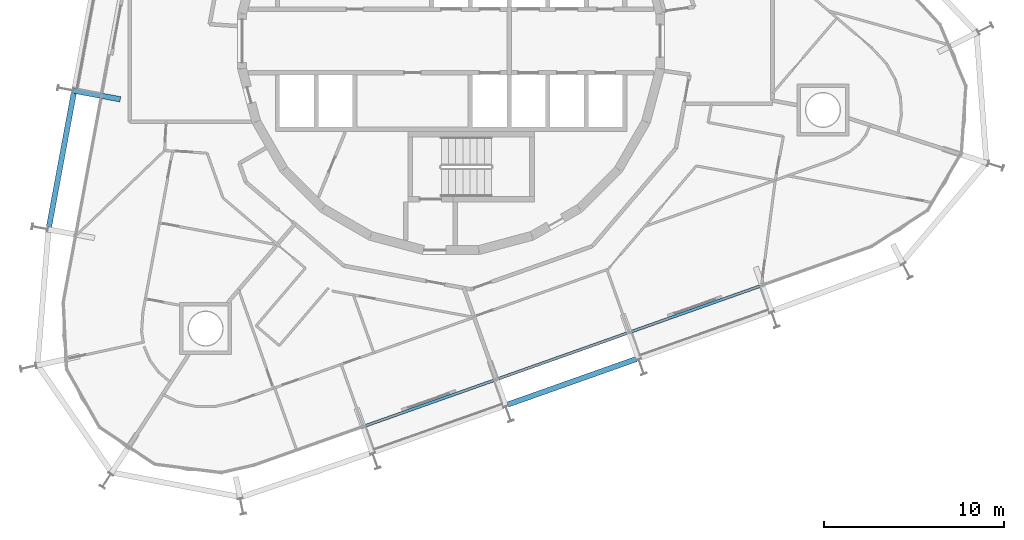
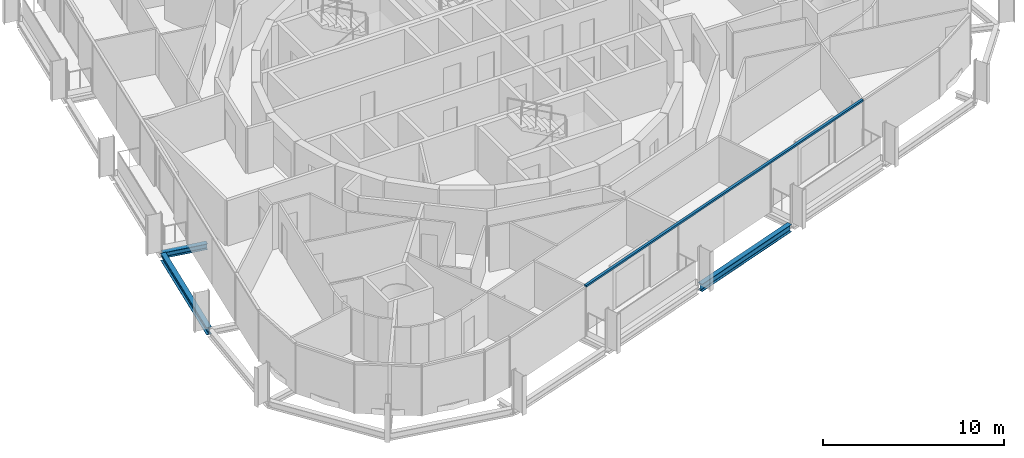
# One storey, part 3 of 17: 3 beams, 1 member, 1 element without a shape of its own.
"""IFC4 building model written with IfcOpenShell, lengths in metres."""

import ifcopenshell
import ifcopenshell.guid

model = None  # the IFC model being written
_history = None  # IfcOwnerHistory: only IFC2X3 demands one
_inside = {}  # id of a spatial element -> (the spatial element, [elements in it])
_under = {}  # id of a project, library or spatial element -> (it, [spatial elements below it])
_declared = {}  # id of a project -> (the project, [libraries it declares])
_typed = {}  # id of a type object -> (the type object, [elements of that type])
_made_of = {}  # id of a material, layer set ... -> (it, [elements and type objects made of it])


def new_model(schema):
    """Start an empty IFC model of exactly this schema.

    Asked for "IFC4X3", IfcOpenShell would pick the latest addendum, in which some entities
    have other attributes; the version numbers below select the first issue.
    IFC2X3 requires an IfcOwnerHistory on every rooted entity: one is made here for all.
    """
    global model, _history
    if schema == "IFC4X3":
        model = ifcopenshell.file(schema_version=(4, 3, 0, 0))
    else:
        model = ifcopenshell.file(schema=schema)
    _inside.clear()
    _under.clear()
    _declared.clear()
    _typed.clear()
    _made_of.clear()
    _history = None
    if model.schema == "IFC2X3":
        org = make("IfcOrganization", Name="unknown")
        user = make(
            "IfcPersonAndOrganization",
            ThePerson=make("IfcPerson", FamilyName="unknown"),
            TheOrganization=org,
        )
        app = make(
            "IfcApplication",
            ApplicationDeveloper=org,
            Version="unknown",
            ApplicationFullName="unknown",
            ApplicationIdentifier="unknown",
        )
        _history = make(
            "IfcOwnerHistory",
            OwningUser=user,
            OwningApplication=app,
            ChangeAction="ADDED",
            CreationDate=0,
        )
    return model


def make(cls, **values):
    """One entity of the class cls with the attributes given. An attribute that is None is left unset."""
    return model.create_entity(
        cls, **{name: value for name, value in values.items() if value is not None}
    )


def rooted(cls, **values):
    """An entity with a GlobalId (a new one), such as an element, a storey or a relation."""
    return make(cls, GlobalId=ifcopenshell.guid.new(), OwnerHistory=_history, **values)


def si_unit(unit_type, name, prefix=None):
    """IfcSIUnit, for example si_unit("LENGTHUNIT", "METRE", prefix="MILLI")."""
    return make("IfcSIUnit", UnitType=unit_type, Prefix=prefix, Name=name)


def assignment(units):
    """IfcUnitAssignment: the units of a project."""
    return None if units is None else make("IfcUnitAssignment", Units=units)


def point(xyz):
    """IfcCartesianPoint."""
    return None if xyz is None else make("IfcCartesianPoint", Coordinates=xyz)


def direction(xyz):
    """IfcDirection."""
    return None if xyz is None else make("IfcDirection", DirectionRatios=xyz)


def frame(location, z_axis=None, x_axis=None):
    """IfcAxis2Placement3D, a coordinate frame: its origin and axes. An axis left out is left unset."""
    return make(
        "IfcAxis2Placement3D",
        Location=point(location),
        Axis=direction(z_axis),
        RefDirection=direction(x_axis),
    )


def frame_2d(location, x_axis=None):
    """IfcAxis2Placement2D, a coordinate frame in the plane: its origin and x axis."""
    return make(
        "IfcAxis2Placement2D", Location=point(location), RefDirection=direction(x_axis)
    )


def origin():
    """The frame at (0, 0, 0) with its axes left unset."""
    return frame((0.0, 0.0, 0.0))


def origin_2d():
    """The frame at (0, 0) in the plane with its x axis left unset."""
    return frame_2d((0.0, 0.0))


def place(relative_to, where):
    """IfcLocalPlacement: puts the frame where relative to a parent placement (None: the world)."""
    return make(
        "IfcLocalPlacement", PlacementRelTo=relative_to, RelativePlacement=where
    )


def context(
    kind, dimensions, precision=None, world=None, true_north=None, identifier=None
):
    """IfcGeometricRepresentationContext, for example the 3D "Model" context."""
    return make(
        "IfcGeometricRepresentationContext",
        ContextIdentifier=identifier,
        ContextType=kind,
        CoordinateSpaceDimension=dimensions,
        Precision=precision,
        WorldCoordinateSystem=world,
        TrueNorth=true_north,
    )


def subcontext(parent, identifier, kind, view, scale=None):
    """IfcGeometricRepresentationSubContext, for example "Body" below "Model"."""
    return make(
        "IfcGeometricRepresentationSubContext",
        ContextIdentifier=identifier,
        ContextType=kind,
        ParentContext=parent,
        TargetScale=scale,
        TargetView=view,
    )


def project(units=None, contexts=None):
    """IfcProject with its units and contexts."""
    return rooted(
        "IfcProject",
        Name="project",
        RepresentationContexts=contexts,
        UnitsInContext=assignment(units),
    )


def spatial(cls, under=None, at=None, **own):
    """A site, building, storey or space (cls), placed at a placement, below another one or the project."""
    s = rooted(cls, ObjectPlacement=at, **own)
    if under is not None:
        _under.setdefault(under.id(), (under, []))[1].append(s)
    return s


def profile(cls, at=None, kind="AREA", **sizes):
    """A parametric profile (cls). Its sizes go by their IFC names, for example OverallWidth=200.0."""
    return make(cls, ProfileType=kind, Position=at, **sizes)


def rectangle(**sizes):
    """IfcRectangleProfileDef."""
    return profile("IfcRectangleProfileDef", **sizes)


def i_section(**sizes):
    """IfcIShapeProfileDef."""
    return profile("IfcIShapeProfileDef", **sizes)


def extrude(swept, where, along, depth):
    """IfcExtrudedAreaSolid: the profile swept, set in the frame where, extruded along a direction by depth."""
    return make(
        "IfcExtrudedAreaSolid",
        SweptArea=swept,
        Position=where,
        ExtrudedDirection=direction(along),
        Depth=depth,
    )


def shape(context_of_items, identifier, shape_type, items):
    """IfcShapeRepresentation: the items that make up one representation, for example the "Body"."""
    return make(
        "IfcShapeRepresentation",
        ContextOfItems=context_of_items,
        RepresentationIdentifier=identifier,
        RepresentationType=shape_type,
        Items=items,
    )


def material(Name=None, Category=None):
    """IfcMaterial."""
    return make("IfcMaterial", Name=Name, Category=Category)


def layer(
    of_material, thickness, ventilated=None, Name=None, Category=None, Priority=None
):
    """IfcMaterialLayer: one layer of a wall or slab, of a material (None: an air gap)."""
    return make(
        "IfcMaterialLayer",
        Material=of_material,
        LayerThickness=thickness,
        IsVentilated=ventilated,
        Name=Name,
        Category=Category,
        Priority=Priority,
    )


def layer_set(layers, Name=None):
    """IfcMaterialLayerSet."""
    return make("IfcMaterialLayerSet", MaterialLayers=layers, LayerSetName=Name)


def material_profile(
    of_material, cross_section, Name=None, Category=None, Priority=None
):
    """IfcMaterialProfile: a cross section and its material."""
    return make(
        "IfcMaterialProfile",
        Name=Name,
        Material=of_material,
        Profile=cross_section,
        Priority=Priority,
        Category=Category,
    )


def profile_set(profiles, Name=None, composite=None):
    """IfcMaterialProfileSet."""
    return make(
        "IfcMaterialProfileSet",
        Name=Name,
        MaterialProfiles=profiles,
        CompositeProfile=composite,
    )


def made_of(thing, what):
    """Note that an element or type object is made of a material, layer set ...; save() writes the relation."""
    if what is not None:
        _made_of.setdefault(what.id(), (what, []))[1].append(thing)
    return thing


def type_object(cls, material=None, **own):
    """A type object (cls), such as IfcWallType, which elements share."""
    return made_of(rooted(cls, **own), material)


def element(
    cls,
    number,
    at=None,
    inside=None,
    cuts=None,
    type_object=None,
    material=None,
    context=None,
    identifier="Body",
    shape_type=None,
    held_by="IfcProductDefinitionShape",
    body=None,
    shapes=None,
    **own,
):
    """One element of the class cls, such as IfcWall. Its Tag is "e" and its number.

    at: its placement. inside: the storey or other place that contains it. cuts: it is an
    opening in that element (IfcRelVoidsElement). A single representation is given by context,
    identifier, shape_type and body (its items); several are given by shapes. held_by: the class
    of the entity that holds the representations. save() writes the other relations.
    """
    e = rooted(cls, Tag="e%d" % number, ObjectPlacement=at, **own)
    if body is not None:
        shapes = [shape(context, identifier, shape_type, body)]
    if shapes is not None:
        e.Representation = make(held_by, Representations=shapes)
    if inside is not None:
        _inside.setdefault(inside.id(), (inside, []))[1].append(e)
    if cuts is not None:
        rooted(
            "IfcRelVoidsElement", RelatingBuildingElement=cuts, RelatedOpeningElement=e
        )
    if type_object is not None:
        _typed.setdefault(type_object.id(), (type_object, []))[1].append(e)
    return made_of(e, material)


def aggregate(whole, parts):
    """IfcRelAggregates: a whole, such as a stair, and the parts it consists of."""
    return rooted("IfcRelAggregates", RelatingObject=whole, RelatedObjects=parts)


def save(model, path):
    """Write the relations noted so far, then the file.

    IfcRelAggregates (storeys below a building ...), IfcRelContainedInSpatialStructure (elements
    in a storey), IfcRelDefinesByType, IfcRelAssociatesMaterial and IfcRelDeclares: one each for
    every whole, place, type object, material and project.
    """
    for whole, parts in _under.values():
        aggregate(whole, parts)
    for where, things in _inside.values():
        rooted(
            "IfcRelContainedInSpatialStructure",
            RelatedElements=things,
            RelatingStructure=where,
        )
    for kind, things in _typed.values():
        rooted("IfcRelDefinesByType", RelatedObjects=things, RelatingType=kind)
    for what, things in _made_of.values():
        rooted("IfcRelAssociatesMaterial", RelatedObjects=things, RelatingMaterial=what)
    for by, libraries in _declared.values():
        rooted("IfcRelDeclares", RelatingContext=by, RelatedDefinitions=libraries)
    model.write(path)


model = new_model("IFC4")

# Units and contexts
model_context = context("Model", 3, precision=1e-05, world=origin(), true_north=direction((0.0, 1.0)))
body_context = subcontext(model_context, "Body", "Model", "MODEL_VIEW")
ifc_project = project(units=[si_unit("LENGTHUNIT", "METRE"), si_unit("AREAUNIT", "SQUARE_METRE"), si_unit("VOLUMEUNIT", "CUBIC_METRE"), si_unit("PLANEANGLEUNIT", "RADIAN"), si_unit("MASSUNIT", "GRAM", prefix="KILO")], contexts=[model_context])

# Site, building, storey
site_placement = place(None, origin())
site = spatial("IfcSite", under=ifc_project, at=site_placement, CompositionType="ELEMENT")
building_placement = place(site_placement, origin())
building = spatial("IfcBuilding", under=site, at=building_placement, Name="Spindle Arch Residences", CompositionType="ELEMENT")
storey_placement = place(building_placement, frame((0.0, 0.0, 179.699951171875)))
storey = spatial("IfcBuildingStorey", under=building, at=storey_placement, Name="L45", CompositionType="ELEMENT", Elevation=179.699951171875)

# Curtain wall, member
ifc_material_1 = material(Name="Aluminium bronze unitised frame with tinted glass", Category="aluminium")
ifc_layer = layer(ifc_material_1, 0.159912109375)
ifc_layer_set = layer_set([ifc_layer], Name="CW-C typical residential unitised wall")
curtain_wall_type = type_object("IfcCurtainWallType", Name="CW-C typical residential unitised wall", PredefinedType="NOTDEFINED", material=ifc_layer_set)
curtain_wall_placement = place(storey_placement, origin())
curtain_wall = element("IfcCurtainWall", 1, at=curtain_wall_placement, inside=storey, type_object=curtain_wall_type, Name="CW-C L45 run 6", PredefinedType="NOTDEFINED")
ifc_material_2 = material(Name="Aluminium bronze anodised transom", Category="aluminium")
ifc_material_profile_1 = material_profile(ifc_material_2, rectangle(XDim=0.159912109375, YDim=0.1201171875, at=origin_2d()), Name="TR 120x160")
ifc_profile_set_1 = profile_set([ifc_material_profile_1], Name="Aluminium bronze anodised transom")
member_type = type_object("IfcMemberType", Name="Bronze transom 120x160", PredefinedType="USERDEFINED", material=ifc_profile_set_1)
member_placement = place(storey_placement, frame((-4.87255859375, -21.470947265625, 2.989990234375), z_axis=(0.94264008639, 0.333810825963, 0.0), x_axis=(-0.333810825963, 0.94264008639, 0.0)))
member = element("IfcMember", 2, at=member_placement, type_object=member_type, Name="CW-C transom 00", ObjectType="TRANSOM", PredefinedType="USERDEFINED", context=body_context, shape_type="SweptSolid", body=[
    extrude(rectangle(XDim=0.159912109375, YDim=0.1201171875, at=origin_2d()), origin(), (0.0, 0.0, 1.0), 23.520263671875),
])
aggregate(curtain_wall, [member])

# Beams
ifc_material_3 = material(Name="Steel S460ML, intumescent coating R 120", Category="steel")
ifc_material_profile_2 = material_profile(ifc_material_3, i_section(OverallWidth=0.300048828125, OverallDepth=0.5, WebThickness=0.014404296875, FlangeThickness=0.028076171875, FilletRadius=0.027099609375, at=origin_2d()), Name="HEB 500")
ifc_profile_set_2 = profile_set([ifc_material_profile_2], Name="Steel S460ML, intumescent coating R 120")
beam_type_1 = type_object("IfcBeamType", Name="Exoskeleton edge beam HEB 500", PredefinedType="BEAM", material=ifc_profile_set_2)
for number, where, z_axis, x_axis, name in (
    (3, (-21.02294921875, -2.8974609375, -0.6298828125), (-0.182234195466, -0.983255154069, 0.0), (0.983255154069, -0.182234195466, 0.0), "Exoskeleton edge beam 16"),
    (4, (3.141845703125, -20.256103515625, -0.6298828125), (0.942633964352, 0.33382811333, 0.0), (-0.33382811333, 0.942633964352, 0.0), "Exoskeleton edge beam 22"),
):
    element("IfcBeam", number, at=place(storey_placement, frame(where, z_axis=z_axis, x_axis=x_axis)), inside=storey, type_object=beam_type_1, Name=name, PredefinedType="BEAM", context=body_context, shape_type="SweptSolid", body=[
        extrude(i_section(OverallWidth=0.300048828125, OverallDepth=0.5, WebThickness=0.014404296875, FlangeThickness=0.028076171875, FilletRadius=0.027099609375, at=origin_2d()), origin(), (0.0, 0.0, 1.0), 7.60009765625),
    ])
ifc_material_4 = material(Name="Steel S460ML, intumescent coating R 120", Category="steel")
ifc_material_profile_3 = material_profile(ifc_material_4, i_section(OverallWidth=0.300048828125, OverallDepth=0.389892578125, WebThickness=0.010986328125, FlangeThickness=0.01904296875, FilletRadius=0.027099609375, at=origin_2d()), Name="HEA 400")
ifc_profile_set_3 = profile_set([ifc_material_profile_3], Name="Steel S460ML, intumescent coating R 120")
beam_type_2 = type_object("IfcBeamType", Name="Floor outrigger HEA 400", PredefinedType="BEAM", material=ifc_profile_set_3)
beam_placement = place(storey_placement, frame((-21.03857421875, -2.76220703125, -0.574951171875), z_axis=(0.983253888741, -0.182241022482, 0.0), x_axis=(0.182241022482, 0.983253888741, 0.0)))
element("IfcBeam", 5, at=beam_placement, inside=storey, type_object=beam_type_2, Name="Floor outrigger 16", PredefinedType="BEAM", context=body_context, shape_type="SweptSolid", body=[
    extrude(i_section(OverallWidth=0.300048828125, OverallDepth=0.389892578125, WebThickness=0.010986328125, FlangeThickness=0.01904296875, FilletRadius=0.027099609375, at=origin_2d()), origin(), (0.0, 0.0, 1.0), 2.64990234375),
])

save(model, "model.ifc")
